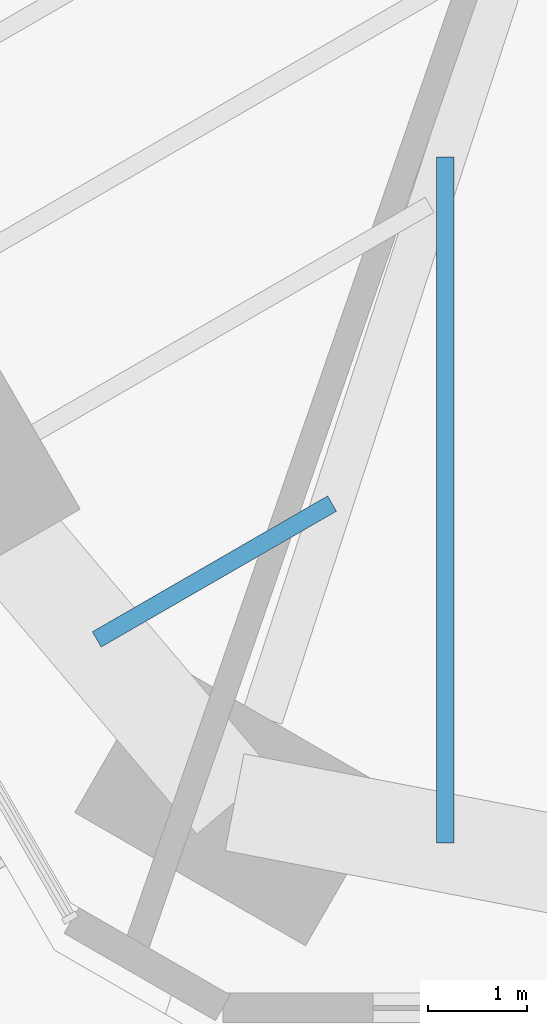
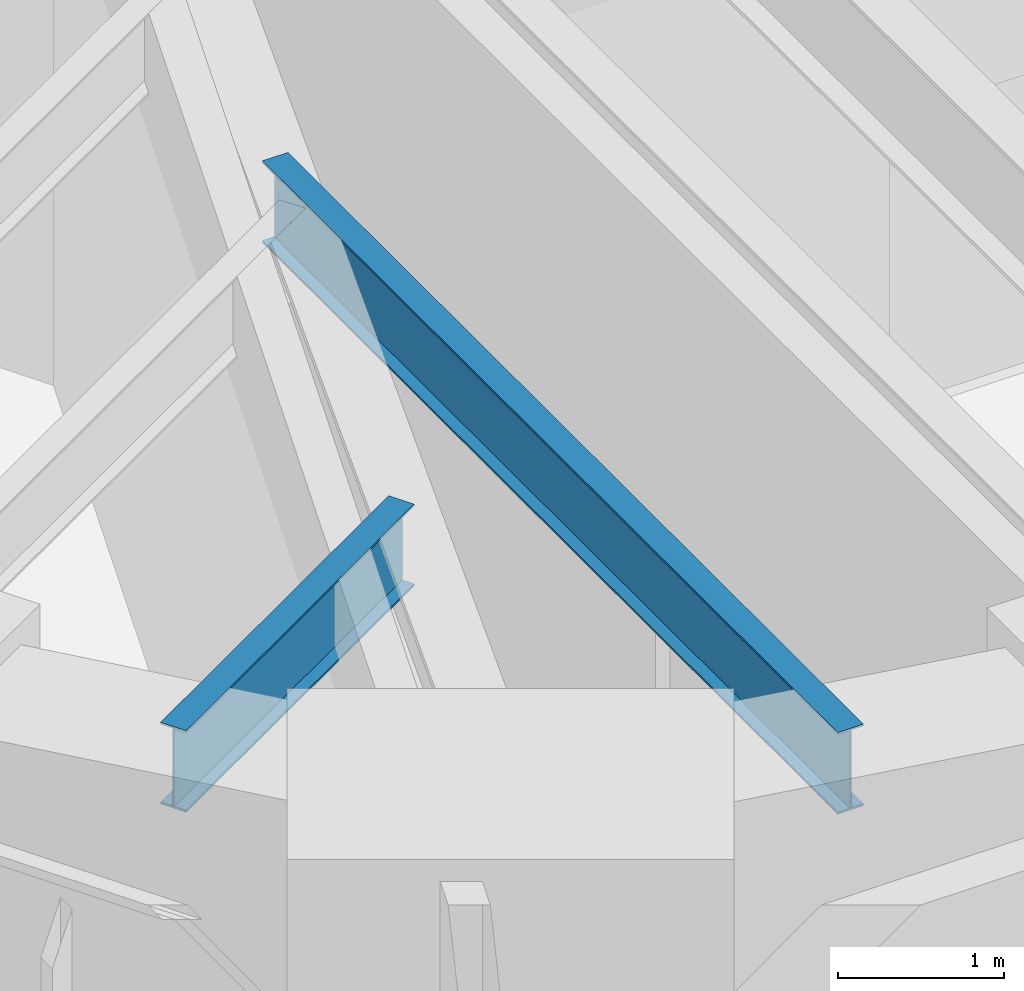
# One storey, part 27 of 228: 2 beams.
"""IFC4 building model written with IfcOpenShell, lengths in metres."""

from ifc_helpers import new_model, si_unit, direction, frame, origin, origin_2d, place, context, subcontext, project, spatial, i_section, extrude, material, material_profile, profile_set, type_object, element, save


model = new_model("IFC4")

# Units and contexts
model_context = context("Model", 3, precision=1e-05, world=origin(), true_north=direction((0.0, 1.0)))
body_context = subcontext(model_context, "Body", "Model", "MODEL_VIEW")
ifc_project = project(units=[si_unit("LENGTHUNIT", "METRE"), si_unit("AREAUNIT", "SQUARE_METRE"), si_unit("VOLUMEUNIT", "CUBIC_METRE"), si_unit("PLANEANGLEUNIT", "RADIAN"), si_unit("MASSUNIT", "GRAM", prefix="KILO")], contexts=[model_context])

# Site, building, storey
site_placement = place(None, origin())
site = spatial("IfcSite", under=ifc_project, at=site_placement, CompositionType="ELEMENT")
building_placement = place(site_placement, origin())
building = spatial("IfcBuilding", under=site, at=building_placement, Name="Sandreach Pilgrim Tower", CompositionType="ELEMENT")
storey_placement = place(building_placement, frame((0.0, 0.0, 178.199951171875)))
storey = spatial("IfcBuildingStorey", under=building, at=storey_placement, Name="L44", CompositionType="ELEMENT", Elevation=178.199951171875)

# Beams
ifc_material = material(Name="Steel ASTM A992 Grade 50", Category="steel")
ifc_material_profile = material_profile(ifc_material, i_section(OverallWidth=0.1787109375, OverallDepth=0.60205078125, WebThickness=0.010986328125, FlangeThickness=0.014892578125, at=origin_2d()), Name="W24X62")
ifc_profile_set = profile_set([ifc_material_profile], Name="Steel ASTM A992 Grade 50")
beam_type = type_object("IfcBeamType", Name="Floor beam W24X62", PredefinedType="BEAM", material=ifc_profile_set)
beam_1_placement = place(storey_placement, frame((-5.844482421875, -24.853515625, 4.5390625), z_axis=(0.0, 1.0, 0.0), x_axis=(-1.0, 0.0, 0.0)))
element("IfcBeam", 1, at=beam_1_placement, inside=storey, type_object=beam_type, Name="BM L44 FM25", PredefinedType="BEAM", context=body_context, shape_type="SweptSolid", body=[
    extrude(i_section(OverallWidth=0.1787109375, OverallDepth=0.60205078125, WebThickness=0.010986328125, FlangeThickness=0.014892578125, at=origin_2d()), origin(), (0.0, 0.0, 1.0), 6.94921875),
])
beam_2_placement = place(storey_placement, frame((-9.375244140625, -22.7919921875, 4.5390625), z_axis=(0.866046803606, 0.49996293259, 0.0), x_axis=(-0.49996293259, 0.866046803606, 0.0)))
element("IfcBeam", 2, at=beam_2_placement, inside=storey, type_object=beam_type, Name="BM L44 FM26", PredefinedType="BEAM", context=body_context, shape_type="SweptSolid", body=[
    extrude(i_section(OverallWidth=0.1787109375, OverallDepth=0.60205078125, WebThickness=0.010986328125, FlangeThickness=0.014892578125, at=origin_2d()), origin(), (0.0, 0.0, 1.0), 2.753662109375),
])

save(model, "model.ifc")
